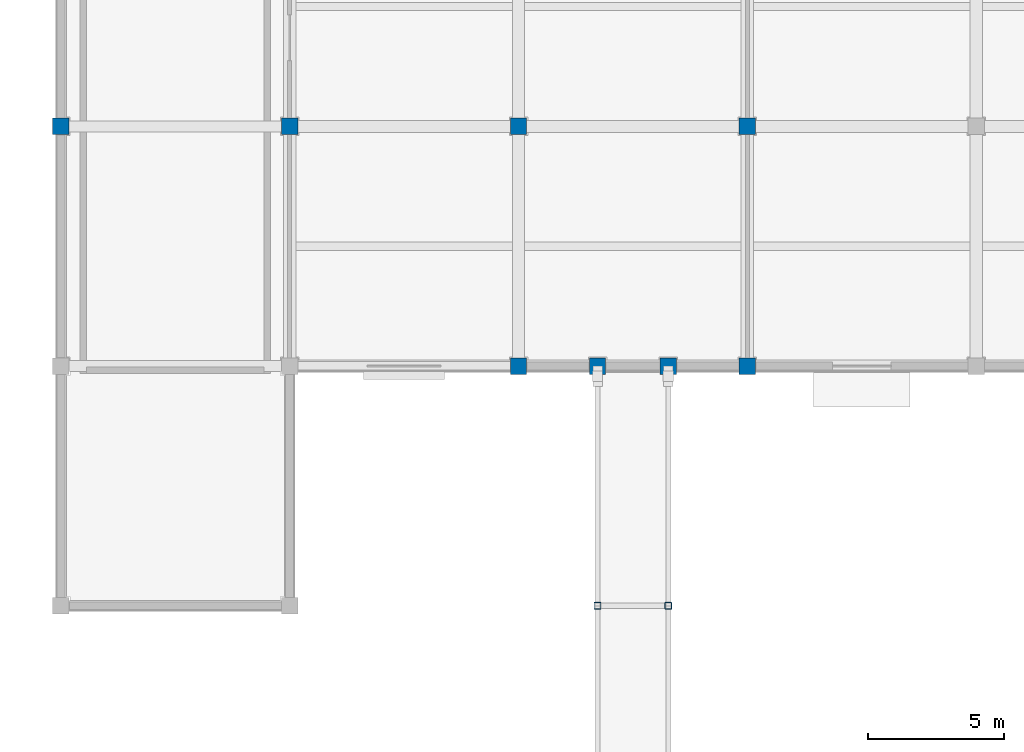
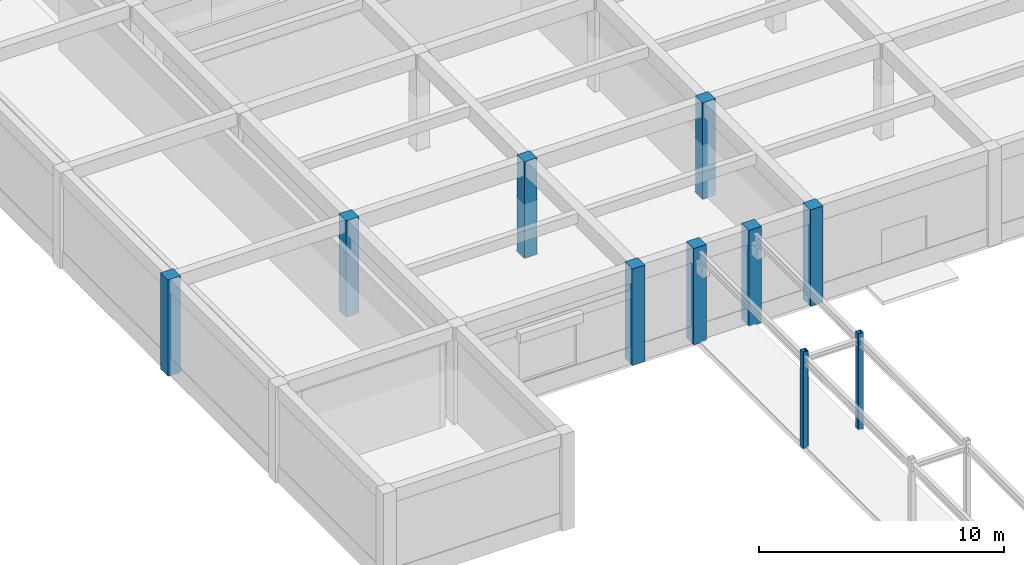
# One storey, part 6 of 58: 10 columns.
"""IFC4 building model written with IfcOpenShell, lengths in metres."""

from ifc_helpers import new_model, si_unit, direction, frame, origin, origin_2d, place, context, subcontext, project, spatial, rectangle, hollow_rectangle, extrude, material, material_profile, profile_set, type_object, element, save


model = new_model("IFC4")

# Units and contexts
model_context = context("Model", 3, precision=1e-05, world=origin(), true_north=direction((0.0, 1.0)))
body_context = subcontext(model_context, "Body", "Model", "MODEL_VIEW")
ifc_project = project(units=[si_unit("LENGTHUNIT", "METRE"), si_unit("AREAUNIT", "SQUARE_METRE"), si_unit("VOLUMEUNIT", "CUBIC_METRE"), si_unit("PLANEANGLEUNIT", "RADIAN"), si_unit("MASSUNIT", "GRAM", prefix="KILO")], contexts=[model_context])

# Site, building, storey
site_placement = place(None, origin())
site = spatial("IfcSite", under=ifc_project, at=site_placement, CompositionType="ELEMENT")
building_placement = place(site_placement, origin())
building = spatial("IfcBuilding", under=site, at=building_placement, Name="Kemercrest Conservatory and Botanical Centre", CompositionType="ELEMENT")
storey_placement = place(building_placement, origin())
storey = spatial("IfcBuildingStorey", under=building, at=storey_placement, Name="L00", CompositionType="ELEMENT", Elevation=0.0)

# Columns
ifc_material_1 = material(Name="Concrete C40/50", Category="concrete")
ifc_material_profile_1 = material_profile(ifc_material_1, rectangle(XDim=0.60009765625, YDim=0.60009765625, at=origin_2d()), Name="RC 600x600")
ifc_profile_set_1 = profile_set([ifc_material_profile_1], Name="Concrete C40/50")
column_type_1 = type_object("IfcColumnType", Name="C-RC60", PredefinedType="COLUMN", material=ifc_profile_set_1)
for number, where, z_axis, x_axis, name in (
    (1, (8.0, 96.0, 0.0), (0.0, 0.0, 1.0), (1.0, 0.0, 0.0), "Visitor Wing column 01/L"),
    (2, (16.39990234375, 96.0, 0.0), (0.0, 0.0, 1.0), (1.0, 0.0, 0.0), "Visitor Wing column 02/L"),
    (3, (24.800048828125, 87.199951171875, 0.0), (0.0, 0.0, 1.0), (1.0, 0.0, 0.0), "Visitor Wing column 03/K"),
    (4, (24.800048828125, 96.0, 0.0), (0.0, 0.0, 1.0), (1.0, 0.0, 0.0), "Visitor Wing column 03/L"),
    (5, (33.199951171875, 87.199951171875, 0.0), (0.0, 0.0, 1.0), (1.0, 0.0, 0.0), "Visitor Wing column 04/K"),
    (6, (33.199951171875, 96.0, 0.0), (0.0, 0.0, 1.0), (1.0, 0.0, 0.0), "Visitor Wing column 04/L"),
    (7, (27.699951171875, 87.199951171875, 0.0), (0.0, 0.0, 1.0), (1.0, 0.0, 0.0), "West Botanical Court Covered Passage SJ-2 rcv pier column 1"),
    (8, (30.300048828125, 87.199951171875, 0.0), (0.0, 0.0, 1.0), (1.0, 0.0, 0.0), "West Botanical Court Covered Passage SJ-2 rcv pier column 2"),
):
    element("IfcColumn", number, at=place(storey_placement, frame(where, z_axis=z_axis, x_axis=x_axis)), inside=storey, type_object=column_type_1, Name=name, PredefinedType="COLUMN", context=body_context, shape_type="SweptSolid", body=[
        extrude(rectangle(XDim=0.60009765625, YDim=0.60009765625, at=origin_2d()), origin(), (0.0, 0.0, 1.0), 4.800048828125),
    ])
ifc_material_2 = material(Name="Steel CSA G40.21 350W", Category="steel")
ifc_material_profile_2 = material_profile(ifc_material_2, hollow_rectangle(XDim=0.25390625, YDim=0.25390625, WallThickness=0.0126953125, InnerFilletRadius=0.0126953125, OuterFilletRadius=0.02490234375, at=origin_2d()), Name="HSS 254x254x12.7")
ifc_profile_set_2 = profile_set([ifc_material_profile_2], Name="Steel CSA G40.21 350W")
column_type_2 = type_object("IfcColumnType", Name="C-S254", PredefinedType="COLUMN", material=ifc_profile_set_2)
for number, where, z_axis, x_axis, name in (
    (9, (27.699951171875, 78.39990234375, 0.0), (0.0, 0.0, 1.0), (1.0, 0.0, 0.0), "West Botanical Court Covered Passage SJ-2 support column P2-1"),
    (10, (30.300048828125, 78.39990234375, 0.0), (0.0, 0.0, 1.0), (1.0, 0.0, 0.0), "West Botanical Court Covered Passage SJ-2 support column P2-2"),
):
    element("IfcColumn", number, at=place(storey_placement, frame(where, z_axis=z_axis, x_axis=x_axis)), inside=storey, type_object=column_type_2, Name=name, PredefinedType="COLUMN", context=body_context, shape_type="SweptSolid", body=[
        extrude(hollow_rectangle(XDim=0.25390625, YDim=0.25390625, WallThickness=0.0126953125, InnerFilletRadius=0.0126953125, OuterFilletRadius=0.02490234375, at=origin_2d()), origin(), (0.0, 0.0, 1.0), 4.800048828125),
    ])

save(model, "model.ifc")
